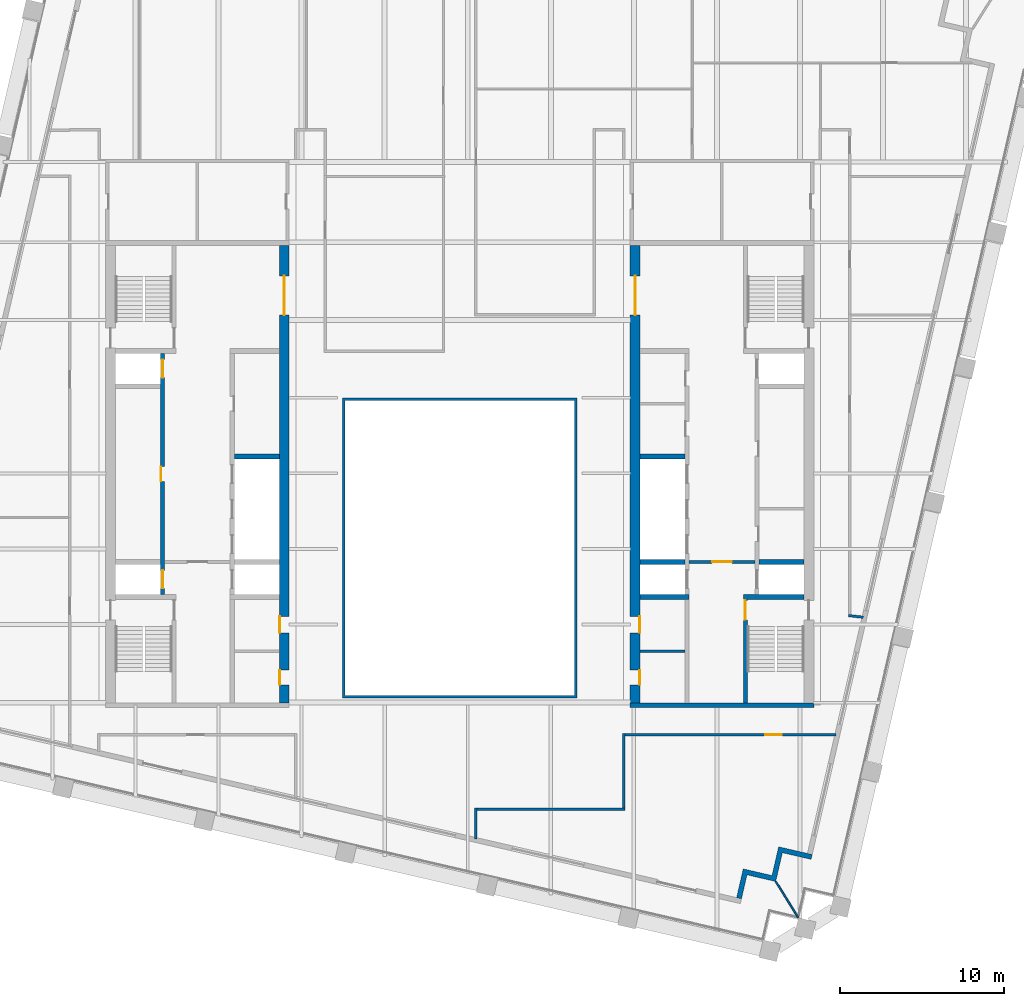
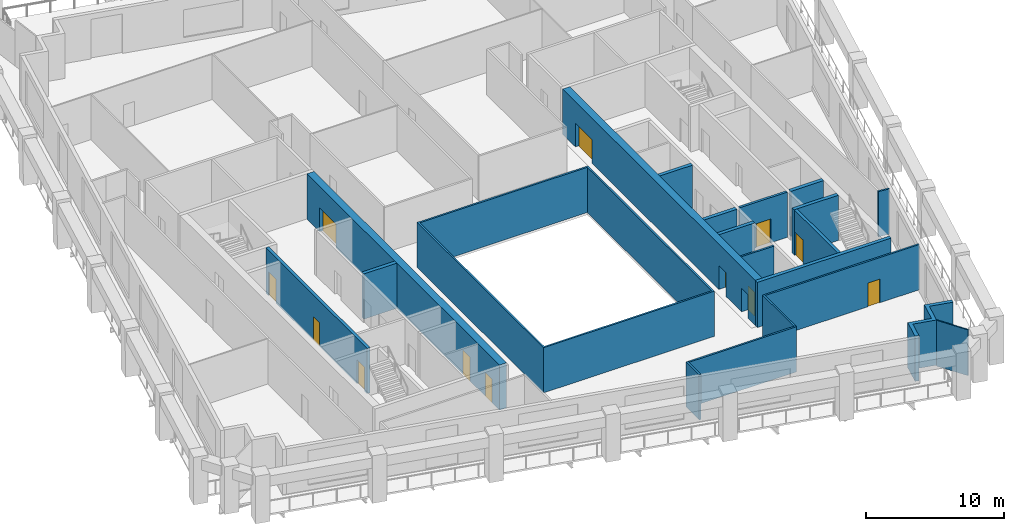
# One storey, part 4 of 9: 21 walls, 12 doors, 12 openings.
"""IFC4 building model written with IfcOpenShell, lengths in metres."""

from ifc_helpers import new_model, si_unit, direction, frame, frame_2d, origin, place, context, subcontext, project, spatial, polyline, rectangle, outline, extrude, material, layer, layer_set, type_object, element, fill, save


model = new_model("IFC4")

# Units and contexts
model_context = context("Model", 3, precision=1e-05, world=origin(), true_north=direction((0.0, 1.0)))
body_context = subcontext(model_context, "Body", "Model", "MODEL_VIEW")
ifc_project = project(units=[si_unit("LENGTHUNIT", "METRE"), si_unit("AREAUNIT", "SQUARE_METRE"), si_unit("VOLUMEUNIT", "CUBIC_METRE"), si_unit("PLANEANGLEUNIT", "RADIAN"), si_unit("MASSUNIT", "GRAM", prefix="KILO")], contexts=[model_context])

# Site, building, storey
site_placement = place(None, origin())
site = spatial("IfcSite", under=ifc_project, at=site_placement, CompositionType="ELEMENT")
building_placement = place(site_placement, origin())
building = spatial("IfcBuilding", under=site, at=building_placement, Name="Ogive Exchange Tower", CompositionType="ELEMENT")
storey_placement = place(building_placement, frame((0.0, 0.0, 285.0)))
storey = spatial("IfcBuildingStorey", under=building, at=storey_placement, Name="L62", CompositionType="ELEMENT", Elevation=285.0)

# Walls
ifc_material_1 = material(Name="Gypsum board partition")
ifc_layer_1 = layer(ifc_material_1, 0.14990234375)
ifc_layer_set_1 = layer_set([ifc_layer_1], Name="Core room partition 150 gypsum")
wall_type_1 = type_object("IfcWallType", Name="Core room partition 150 gypsum", PredefinedType="PARTITIONING", material=ifc_layer_set_1)
wall_1_placement = place(storey_placement, frame((11.0, 0.699951171875, 0.0), z_axis=(0.0, 0.0, 1.0), x_axis=(1.0, 0.0, 0.0)))
element("IfcWall", 1, at=wall_1_placement, inside=storey, type_object=wall_type_1, Name="E south room partition", PredefinedType="PARTITIONING", context=body_context, shape_type="SweptSolid", body=[
    extrude(rectangle(XDim=2.75, YDim=0.14990234375, at=frame_2d((1.375, 0.0))), origin(), (0.0, 0.0, 1.0), 4.0),
])
ifc_material_2 = material(Name="Fire partition EI 60 150")
ifc_layer_2 = layer(ifc_material_2, 0.14990234375)
ifc_layer_set_2 = layer_set([ifc_layer_2], Name="Fire partition EI 60 150")
wall_type_2 = type_object("IfcWallType", Name="Fire partition EI 60 150", PredefinedType="PARTITIONING", material=ifc_layer_set_2)
wall_2_placement = place(storey_placement, frame((0.989990234375, -8.864990234375, 0.0), z_axis=(0.0, 0.0, 1.0), x_axis=(0.0, -1.0, 0.0)))
element("IfcWall", 2, at=wall_2_placement, inside=storey, type_object=wall_type_2, Name="L62-PWL-027", PredefinedType="PARTITIONING", context=body_context, shape_type="SweptSolid", body=[
    extrude(rectangle(XDim=1.887939453125, YDim=0.14990234375, at=frame_2d((0.94384765625, 0.0))), origin(), (0.0, 0.0, 1.0), 4.0),
])
wall_3_placement = place(storey_placement, frame((10.074951171875, -8.93994140625, 0.0), z_axis=(0.0, 0.0, 1.0), x_axis=(-1.0, 0.0, 0.0)))
element("IfcWall", 3, at=wall_3_placement, inside=storey, type_object=wall_type_2, Name="L62-PWL-033", PredefinedType="PARTITIONING", context=body_context, shape_type="SweptSolid", body=[
    extrude(rectangle(XDim=9.010009765625, YDim=0.14990234375, at=frame_2d((4.5048828125, 0.0))), origin(), (0.0, 0.0, 1.0), 4.0),
])
wall_4_placement = place(storey_placement, frame((10.0, -4.324951171875, 0.0), z_axis=(0.0, 0.0, 1.0), x_axis=(0.0, -1.0, 0.0)))
element("IfcWall", 4, at=wall_4_placement, inside=storey, type_object=wall_type_2, Name="L62-PWL-034", PredefinedType="PARTITIONING", context=body_context, shape_type="SweptSolid", body=[
    extrude(rectangle(XDim=4.5400390625, YDim=0.14990234375, at=frame_2d((2.27001953125, 0.0))), origin(), (0.0, 0.0, 1.0), 4.0),
])

# Wall, opening, door
wall_5_placement = place(storey_placement, frame((22.968017578125, -4.39990234375, 0.0), z_axis=(0.0, 0.0, 1.0), x_axis=(-1.0, 0.0, 0.0)))
wall_5 = element("IfcWall", 5, at=wall_5_placement, inside=storey, type_object=wall_type_2, Name="L62-PWL-045", PredefinedType="PARTITIONING", context=body_context, shape_type="SweptSolid", body=[
    extrude(rectangle(XDim=12.89306640625, YDim=0.14990234375, at=frame_2d((6.446533203125, 0.0))), origin(), (0.0, 0.0, 1.0), 4.0),
])
opening_1_placement = place(wall_5_placement, frame((3.318115234375, 0.0, 0.0)))
opening_1 = element("IfcOpeningElement", 6, at=opening_1_placement, cuts=wall_5, Name="Opening L62-I01", PredefinedType="OPENING", context=body_context, shape_type="SweptSolid", body=[
    extrude(rectangle(XDim=1.0, YDim=2.10009765625, at=frame_2d((0.5, 1.050048828125))), frame((0.0, 0.0849609375, 0.0), z_axis=(0.0, -1.0, 0.0), x_axis=(1.0, 0.0, 0.0)), (0.0, 0.0, 1.0), 0.169921875),
])
ifc_material_3 = material(Name="Fire door FD 30S 1000 x 2100")
door_type_1 = type_object("IfcDoorType", Name="Fire door FD 30S 1000 x 2100", OperationType="NOTDEFINED", PredefinedType="DOOR", material=ifc_material_3)
door_1_placement = place(opening_1_placement, origin())
door_1 = element("IfcDoor", 7, at=door_1_placement, inside=storey, type_object=door_type_1, Name="L62-IDR-001", ObjectType="DT3", OperationType="SINGLE_SWING_RIGHT", OverallHeight=2.10009765625, OverallWidth=1.0, PredefinedType="DOOR", context=body_context, shape_type="SweptSolid", body=[
    extrude(rectangle(XDim=1.0, YDim=2.10009765625, at=frame_2d((0.5, 1.050048828125))), frame((0.0, 0.02490234375, 0.0), z_axis=(0.0, -1.0, 0.0), x_axis=(1.0, 0.0, 0.0)), (0.0, 0.0, 1.0), 0.050048828125),
])
fill(opening_1, door_1)

# Walls
wall_6_placement = place(storey_placement, frame((23.72509765625, 2.868896484375, 0.0), z_axis=(0.0, 0.0, 1.0), x_axis=(0.993330469257, -0.115302119865, 0.0)))
element("IfcWall", 8, at=wall_6_placement, inside=storey, type_object=wall_type_2, Name="L62-PWL-046", PredefinedType="PARTITIONING", context=body_context, shape_type="SweptSolid", body=[
    extrude(rectangle(XDim=0.902099609375, YDim=0.14990234375, at=frame_2d((0.451171875, 0.0))), origin(), (0.0, 0.0, 1.0), 4.0),
])
ifc_material_4 = material(Name="Fire-resisting glass in steel frame", Category="steel")
ifc_layer_3 = layer(ifc_material_4, 0.14990234375)
ifc_layer_set_3 = layer_set([ifc_layer_3], Name="Fire-rated glazed wall 150")
wall_type_3 = type_object("IfcWallType", Name="Fire-rated glazed wall 150", PredefinedType="STANDARD", material=ifc_layer_set_3)
wall_7_placement = place(storey_placement, origin())
element("IfcWall", 9, at=wall_7_placement, inside=storey, type_object=wall_type_3, Name="Nave enclosure wall", PredefinedType="STANDARD", context=body_context, shape_type="SweptSolid", body=[
    extrude(outline(polyline([(-7.14990234375, -2.14990234375), (7.14990234375, -2.14990234375), (7.14990234375, 16.14990234375), (-7.14990234375, 16.14990234375), (-7.14990234375, -2.14990234375)]), holes=[polyline([(-7.0, -2.0), (-7.0, 16.0), (7.0, 16.0), (7.0, -2.0), (-7.0, -2.0)])]), origin(), (0.0, 0.0, 1.0), 4.0),
])
ifc_material_5 = material(Name="Precast concrete C40/50", Category="concrete")
ifc_layer_4 = layer(ifc_material_5, 0.300048828125)
ifc_layer_set_4 = layer_set([ifc_layer_4], Name="Limestone-faced wall 300")
wall_type_4 = type_object("IfcWallType", Name="Limestone-faced wall 300", PredefinedType="STANDARD", material=ifc_layer_set_4)
wall_8_placement = place(storey_placement, origin())
element("IfcWall", 10, at=wall_8_placement, inside=storey, type_object=wall_type_4, Name="External corner wall C1", PredefinedType="STANDARD", context=body_context, shape_type="SweptSolid", body=[
    extrude(outline(polyline([(19.053955078125, -12.993408203125), (19.458740234375, -11.239501953125), (21.5048828125, -11.7119140625), (21.4375, -12.004150390625), (19.68359375, -11.599365234375), (19.27880859375, -13.353271484375), (17.52490234375, -12.9482421875), (17.1875, -14.409912109375), (16.89501953125, -14.34228515625), (17.300048828125, -12.58837890625), (19.053955078125, -12.993408203125)])), origin(), (0.0, 0.0, 1.0), 4.0),
])
ifc_material_6 = material(Name="Laminated safety glass in steel frame", Category="steel")
ifc_layer_5 = layer(ifc_material_6, 0.10009765625)
ifc_layer_set_5 = layer_set([ifc_layer_5], Name="Loggia end screen 100")
wall_type_5 = type_object("IfcWallType", Name="Loggia end screen 100", PredefinedType="STANDARD", material=ifc_layer_set_5)
wall_9_placement = place(storey_placement, frame((19.27880859375, -13.353271484375, -0.050048828125), z_axis=(0.0, 0.0, 1.0), x_axis=(0.529914407191, -0.848051131154, 0.0)))
element("IfcWall", 11, at=wall_9_placement, inside=storey, type_object=wall_type_5, Name="Loggia end screen C1", PredefinedType="STANDARD", context=body_context, shape_type="SweptSolid", body=[
    extrude(rectangle(XDim=2.59619140625, YDim=0.10009765625, at=frame_2d((1.298095703125, 0.0))), origin(), (0.0, 0.0, 1.0), 4.050048828125),
])

# Wall, opening, door
ifc_material_7 = material(Name="Concrete C70/85", Category="concrete")
ifc_layer_6 = layer(ifc_material_7, 0.199951171875)
ifc_layer_set_6 = layer_set([ifc_layer_6], Name="RC core wall 200 C70/85")
wall_type_6 = type_object("IfcWallType", Name="RC core wall 200 C70/85", PredefinedType="SHEAR", material=ifc_layer_set_6)
wall_10_placement = place(storey_placement, frame((14.0, 6.142822265625, 0.0), z_axis=(0.0, 0.0, 1.0), x_axis=(1.0, 0.0, 0.0)))
wall_10 = element("IfcWall", 12, at=wall_10_placement, inside=storey, type_object=wall_type_6, Name="E firefighting lobby wall", PredefinedType="SHEAR", context=body_context, shape_type="SweptSolid", body=[
    extrude(rectangle(XDim=4.0, YDim=0.199951171875, at=frame_2d((2.0, 0.0))), origin(), (0.0, 0.0, 1.0), 4.0),
])
opening_2_placement = place(wall_10_placement, frame((1.39990234375, 0.0, 0.0)))
opening_2 = element("IfcOpeningElement", 13, at=opening_2_placement, cuts=wall_10, Name="Opening L62-C29", PredefinedType="OPENING", context=body_context, shape_type="SweptSolid", body=[
    extrude(rectangle(XDim=1.199951171875, YDim=2.10009765625, at=frame_2d((0.60009765625, 1.050048828125))), frame((0.0, 0.10986328125, 0.0), z_axis=(0.0, -1.0, 0.0), x_axis=(1.0, 0.0, 0.0)), (0.0, 0.0, 1.0), 0.219970703125),
])
ifc_material_8 = material(Name="Steel fire door", Category="steel")
door_type_2 = type_object("IfcDoorType", Name="Firefighting lobby door FD60 1200 x 2100", OperationType="NOTDEFINED", PredefinedType="DOOR", material=ifc_material_8)
door_2_placement = place(opening_2_placement, frame((1.199951171875, 0.0, 0.0), z_axis=(0.0, 0.0, 1.0), x_axis=(-1.0, 0.0, 0.0)))
door_2 = element("IfcDoor", 14, at=door_2_placement, inside=storey, type_object=door_type_2, Name="Firefighting lobby door", ObjectType="CD3", OperationType="SINGLE_SWING_LEFT", OverallHeight=2.10009765625, OverallWidth=1.199951171875, PredefinedType="DOOR", context=body_context, shape_type="SweptSolid", body=[
    extrude(rectangle(XDim=1.199951171875, YDim=2.10009765625, at=frame_2d((0.60009765625, 1.050048828125))), frame((0.0, 0.02490234375, 0.0), z_axis=(0.0, -1.0, 0.0), x_axis=(1.0, 0.0, 0.0)), (0.0, 0.0, 1.0), 0.050048828125),
])
fill(opening_2, door_2)

# Wall, openings, doors
ifc_layer_7 = layer(ifc_material_7, 0.25)
ifc_layer_set_7 = layer_set([ifc_layer_7], Name="RC core wall 250 C70/85")
wall_type_7 = type_object("IfcWallType", Name="RC core wall 250 C70/85", PredefinedType="SHEAR", material=ifc_layer_set_7)
wall_11_placement = place(storey_placement, frame((-18.125, 4.14990234375, 0.0), z_axis=(0.0, 0.0, 1.0), x_axis=(0.0, 1.0, 0.0)))
wall_11 = element("IfcWall", 15, at=wall_11_placement, inside=storey, type_object=wall_type_7, Name="W row A front wall", PredefinedType="SHEAR", context=body_context, shape_type="SweptSolid", body=[
    extrude(rectangle(XDim=14.7001953125, YDim=0.25, at=frame_2d((7.35009765625, 0.0))), origin(), (0.0, 0.0, 1.0), 4.0),
])
opening_3_placement = place(wall_11_placement, frame((6.89990234375, 0.0, 0.0)))
opening_3 = element("IfcOpeningElement", 16, at=opening_3_placement, cuts=wall_11, Name="Opening L62-C01", PredefinedType="OPENING", context=body_context, shape_type="SweptSolid", body=[
    extrude(rectangle(XDim=0.89990234375, YDim=2.10009765625, at=frame_2d((0.449951171875, 1.050048828125))), frame((0.0, 0.135009765625, 0.0), z_axis=(0.0, -1.0, 0.0), x_axis=(1.0, 0.0, 0.0)), (0.0, 0.0, 1.0), 0.27001953125),
])
opening_4_placement = place(wall_11_placement, frame((0.371337890625, 0.0, 0.0)))
opening_4 = element("IfcOpeningElement", 17, at=opening_4_placement, cuts=wall_11, Name="Opening L62-C02", PredefinedType="OPENING", context=body_context, shape_type="SweptSolid", body=[
    extrude(rectangle(XDim=1.10009765625, YDim=2.10009765625, at=frame_2d((0.550048828125, 1.050048828125))), frame((0.0, 0.135009765625, 0.0), z_axis=(0.0, -1.0, 0.0), x_axis=(1.0, 0.0, 0.0)), (0.0, 0.0, 1.0), 0.27001953125),
])
opening_5_placement = place(wall_11_placement, frame((13.228515625, 0.0, 0.0)))
opening_5 = element("IfcOpeningElement", 18, at=opening_5_placement, cuts=wall_11, Name="Opening L62-C03", PredefinedType="OPENING", context=body_context, shape_type="SweptSolid", body=[
    extrude(rectangle(XDim=1.10009765625, YDim=2.10009765625, at=frame_2d((0.550048828125, 1.050048828125))), frame((0.0, 0.135009765625, 0.0), z_axis=(0.0, -1.0, 0.0), x_axis=(1.0, 0.0, 0.0)), (0.0, 0.0, 1.0), 0.27001953125),
])
ifc_material_9 = material(Name="Timber fire door", Category="wood")
door_type_3 = type_object("IfcDoorType", Name="Core room door FD30S 900 x 2100", OperationType="NOTDEFINED", PredefinedType="DOOR", material=ifc_material_9)
door_3_placement = place(opening_3_placement, origin())
door_3 = element("IfcDoor", 19, at=door_3_placement, inside=storey, type_object=door_type_3, Name="Core room door", ObjectType="CD6", OperationType="SINGLE_SWING_RIGHT", OverallHeight=2.10009765625, OverallWidth=0.89990234375, PredefinedType="DOOR", context=body_context, shape_type="SweptSolid", body=[
    extrude(rectangle(XDim=0.89990234375, YDim=2.10009765625, at=frame_2d((0.449951171875, 1.050048828125))), frame((0.0, 0.125, 0.0), z_axis=(0.0, -1.0, 0.0), x_axis=(1.0, 0.0, 0.0)), (0.0, 0.0, 1.0), 0.050048828125),
])
fill(opening_3, door_3)
ifc_material_10 = material(Name="Stainless steel", Category="steel")
door_type_4 = type_object("IfcDoorType", Name="Lift landing door FD90 1100 x 2100", OperationType="SLIDING_TO_LEFT", PredefinedType="DOOR", material=ifc_material_10)
door_4_placement = place(opening_4_placement, origin())
door_4 = element("IfcDoor", 20, at=door_4_placement, inside=storey, type_object=door_type_4, Name="Lift landing door FF1", ObjectType="LD", OperationType="SLIDING_TO_LEFT", OverallHeight=2.10009765625, OverallWidth=1.10009765625, PredefinedType="DOOR", context=body_context, shape_type="SweptSolid", body=[
    extrude(rectangle(XDim=1.10009765625, YDim=2.10009765625, at=frame_2d((0.550048828125, 1.050048828125))), frame((0.0, 0.02490234375, 0.0), z_axis=(0.0, -1.0, 0.0), x_axis=(1.0, 0.0, 0.0)), (0.0, 0.0, 1.0), 0.050048828125),
])
fill(opening_4, door_4)
door_5_placement = place(opening_5_placement, origin())
door_5 = element("IfcDoor", 21, at=door_5_placement, inside=storey, type_object=door_type_4, Name="Lift landing door W-SH2", ObjectType="LD", OperationType="SLIDING_TO_LEFT", OverallHeight=2.10009765625, OverallWidth=1.10009765625, PredefinedType="DOOR", context=body_context, shape_type="SweptSolid", body=[
    extrude(rectangle(XDim=1.10009765625, YDim=2.10009765625, at=frame_2d((0.550048828125, 1.050048828125))), frame((0.0, 0.02490234375, 0.0), z_axis=(0.0, -1.0, 0.0), x_axis=(1.0, 0.0, 0.0)), (0.0, 0.0, 1.0), 0.050048828125),
])
fill(opening_5, door_5)

# Wall, opening, door
wall_12_placement = place(storey_placement, frame((17.425048828125, -2.449951171875, 0.0), z_axis=(0.0, 0.0, 1.0), x_axis=(0.0, 1.0, 0.0)))
wall_12 = element("IfcWall", 22, at=wall_12_placement, inside=storey, type_object=wall_type_7, Name="E stair S front wall", PredefinedType="SHEAR", context=body_context, shape_type="SweptSolid", body=[
    extrude(rectangle(XDim=6.300048828125, YDim=0.25, at=frame_2d((3.14990234375, 0.0))), origin(), (0.0, 0.0, 1.0), 4.0),
])
opening_6_placement = place(wall_12_placement, frame((5.050048828125, 0.0, 0.0)))
opening_6 = element("IfcOpeningElement", 23, at=opening_6_placement, cuts=wall_12, Name="Opening L62-C31", PredefinedType="OPENING", context=body_context, shape_type="SweptSolid", body=[
    extrude(rectangle(XDim=1.199951171875, YDim=2.10009765625, at=frame_2d((0.60009765625, 1.050048828125))), frame((0.0, 0.135009765625, 0.0), z_axis=(0.0, -1.0, 0.0), x_axis=(1.0, 0.0, 0.0)), (0.0, 0.0, 1.0), 0.27001953125),
])
door_type_5 = type_object("IfcDoorType", Name="Stair door FD90 1200 x 2100", OperationType="NOTDEFINED", PredefinedType="DOOR", material=ifc_material_8)
door_6_placement = place(opening_6_placement, frame((1.199951171875, 0.0, 0.0), z_axis=(0.0, 0.0, 1.0), x_axis=(-1.0, 0.0, 0.0)))
door_6 = element("IfcDoor", 24, at=door_6_placement, inside=storey, type_object=door_type_5, Name="Stair door", ObjectType="CD5", OperationType="SINGLE_SWING_RIGHT", OverallHeight=2.10009765625, OverallWidth=1.199951171875, PredefinedType="DOOR", context=body_context, shape_type="SweptSolid", body=[
    extrude(rectangle(XDim=1.199951171875, YDim=2.10009765625, at=frame_2d((0.60009765625, 1.050048828125))), frame((0.0, 0.02490234375, 0.0), z_axis=(0.0, -1.0, 0.0), x_axis=(1.0, 0.0, 0.0)), (0.0, 0.0, 1.0), 0.050048828125),
])
fill(opening_6, door_6)

# Walls
ifc_layer_8 = layer(ifc_material_7, 0.300048828125)
ifc_layer_set_8 = layer_set([ifc_layer_8], Name="RC core wall 300 C70/85")
wall_type_8 = type_object("IfcWallType", Name="RC core wall 300 C70/85", PredefinedType="SHEAR", material=ifc_layer_set_8)
wall_13_placement = place(storey_placement, frame((-13.75, 12.5712890625, 0.0), z_axis=(0.0, 0.0, 1.0), x_axis=(1.0, 0.0, 0.0)))
element("IfcWall", 25, at=wall_13_placement, inside=storey, type_object=wall_type_8, Name="W row B divider 4", PredefinedType="SHEAR", context=body_context, shape_type="SweptSolid", body=[
    extrude(rectangle(XDim=2.75, YDim=0.300048828125, at=frame_2d((1.375, 0.0))), origin(), (0.0, 0.0, 1.0), 4.0),
])
wall_14_placement = place(storey_placement, frame((10.39990234375, -2.60009765625, 0.0), z_axis=(0.0, 0.0, 1.0), x_axis=(1.0, 0.0, 0.0)))
element("IfcWall", 26, at=wall_14_placement, inside=storey, type_object=wall_type_8, Name="E south end wall", PredefinedType="SHEAR", context=body_context, shape_type="SweptSolid", body=[
    extrude(rectangle(XDim=11.2001953125, YDim=0.300048828125, at=frame_2d((5.60009765625, 0.0))), origin(), (0.0, 0.0, 1.0), 4.0),
])
wall_15_placement = place(storey_placement, frame((17.300048828125, 4.0, 0.0), z_axis=(0.0, 0.0, 1.0), x_axis=(1.0, 0.0, 0.0)))
element("IfcWall", 27, at=wall_15_placement, inside=storey, type_object=wall_type_8, Name="E stair S north wall", PredefinedType="SHEAR", context=body_context, shape_type="SweptSolid", body=[
    extrude(rectangle(XDim=3.699951171875, YDim=0.300048828125, at=frame_2d((1.85009765625, 0.0))), origin(), (0.0, 0.0, 1.0), 4.0),
])
wall_16_placement = place(storey_placement, frame((18.25, 6.142822265625, 0.0), z_axis=(0.0, 0.0, 1.0), x_axis=(1.0, 0.0, 0.0)))
element("IfcWall", 28, at=wall_16_placement, inside=storey, type_object=wall_type_8, Name="E row A divider 1", PredefinedType="SHEAR", context=body_context, shape_type="SweptSolid", body=[
    extrude(rectangle(XDim=2.75, YDim=0.300048828125, at=frame_2d((1.375, 0.0))), origin(), (0.0, 0.0, 1.0), 4.0),
])
wall_17_placement = place(storey_placement, frame((11.0, 4.0, 0.0), z_axis=(0.0, 0.0, 1.0), x_axis=(1.0, 0.0, 0.0)))
element("IfcWall", 29, at=wall_17_placement, inside=storey, type_object=wall_type_8, Name="E row B divider 0", PredefinedType="SHEAR", context=body_context, shape_type="SweptSolid", body=[
    extrude(rectangle(XDim=3.0, YDim=0.300048828125, at=frame_2d((1.5, 0.0))), origin(), (0.0, 0.0, 1.0), 4.0),
])
for number, where, z_axis, x_axis, name in (
    (30, (11.0, 6.142822265625, 0.0), (0.0, 0.0, 1.0), (1.0, 0.0, 0.0), "E row B divider 1"),
    (31, (11.0, 12.5712890625, 0.0), (0.0, 0.0, 1.0), (1.0, 0.0, 0.0), "E row B divider 4"),
):
    element("IfcWall", number, at=place(storey_placement, frame(where, z_axis=z_axis, x_axis=x_axis)), inside=storey, type_object=wall_type_8, Name=name, PredefinedType="SHEAR", context=body_context, shape_type="SweptSolid", body=[
        extrude(rectangle(XDim=2.75, YDim=0.300048828125, at=frame_2d((1.375, 0.0))), origin(), (0.0, 0.0, 1.0), 4.0),
    ])

# Wall, openings, doors
ifc_layer_9 = layer(ifc_material_7, 0.60009765625)
ifc_layer_set_9 = layer_set([ifc_layer_9], Name="RC core wall 600 C70/85")
wall_type_9 = type_object("IfcWallType", Name="RC core wall 600 C70/85", PredefinedType="SHEAR", material=ifc_layer_set_9)
wall_18_placement = place(storey_placement, frame((-10.699951171875, -2.449951171875, 0.0), z_axis=(0.0, 0.0, 1.0), x_axis=(0.0, 1.0, 0.0)))
wall_18 = element("IfcWall", 32, at=wall_18_placement, inside=storey, type_object=wall_type_9, Name="W inner wall", PredefinedType="SHEAR", context=body_context, shape_type="SweptSolid", body=[
    extrude(rectangle(XDim=27.89990234375, YDim=0.60009765625, at=frame_2d((13.949951171875, 0.0))), origin(), (0.0, 0.0, 1.0), 4.0),
])
opening_7_placement = place(wall_18_placement, frame((23.64990234375, 0.0, 0.0)))
opening_7 = element("IfcOpeningElement", 33, at=opening_7_placement, cuts=wall_18, Name="Opening L62-C10", PredefinedType="OPENING", context=body_context, shape_type="SweptSolid", body=[
    extrude(rectangle(XDim=2.39990234375, YDim=2.10009765625, at=frame_2d((1.199951171875, 1.050048828125))), frame((0.0, 0.31005859375, 0.0), z_axis=(0.0, -1.0, 0.0), x_axis=(1.0, 0.0, 0.0)), (0.0, 0.0, 1.0), 0.6201171875),
])
opening_8_placement = place(wall_18_placement, frame((1.08740234375, 0.0, 0.0)))
opening_8 = element("IfcOpeningElement", 34, at=opening_8_placement, cuts=wall_18, Name="Opening L62-C15", PredefinedType="OPENING", context=body_context, shape_type="SweptSolid", body=[
    extrude(rectangle(XDim=0.89990234375, YDim=2.10009765625, at=frame_2d((0.449951171875, 1.050048828125))), frame((0.0, 0.31005859375, 0.0), z_axis=(0.0, -1.0, 0.0), x_axis=(1.0, 0.0, 0.0)), (0.0, 0.0, 1.0), 0.6201171875),
])
opening_9_placement = place(wall_18_placement, frame((4.262451171875, 0.0, 0.0)))
opening_9 = element("IfcOpeningElement", 35, at=opening_9_placement, cuts=wall_18, Name="Opening L62-C16", PredefinedType="OPENING", context=body_context, shape_type="SweptSolid", body=[
    extrude(rectangle(XDim=1.0, YDim=2.10009765625, at=frame_2d((0.5, 1.050048828125))), frame((0.0, 0.31005859375, 0.0), z_axis=(0.0, -1.0, 0.0), x_axis=(1.0, 0.0, 0.0)), (0.0, 0.0, 1.0), 0.6201171875),
])
door_type_6 = type_object("IfcDoorType", Name="Accessible WC door FD30S 1000 x 2100", OperationType="NOTDEFINED", PredefinedType="DOOR", material=ifc_material_9)
door_7_placement = place(opening_9_placement, frame((1.0, 0.5498046875, 0.0), z_axis=(0.0, 0.0, 1.0), x_axis=(-1.0, 0.0, 0.0)))
door_7 = element("IfcDoor", 36, at=door_7_placement, inside=storey, type_object=door_type_6, Name="Accessible WC door", ObjectType="CD7", OperationType="SINGLE_SWING_LEFT", OverallHeight=2.10009765625, OverallWidth=1.0, PredefinedType="DOOR", context=body_context, shape_type="SweptSolid", body=[
    extrude(rectangle(XDim=1.0, YDim=2.10009765625, at=frame_2d((0.5, 1.050048828125))), frame((0.0, 0.2998046875, 0.0), z_axis=(0.0, -1.0, 0.0), x_axis=(1.0, 0.0, 0.0)), (0.0, 0.0, 1.0), 0.050048828125),
])
fill(opening_9, door_7)
door_8_placement = place(opening_8_placement, frame((0.89990234375, 0.5498046875, 0.0), z_axis=(0.0, 0.0, 1.0), x_axis=(-1.0, 0.0, 0.0)))
door_8 = element("IfcDoor", 37, at=door_8_placement, inside=storey, type_object=door_type_3, Name="Core room door", ObjectType="CD6", OperationType="SINGLE_SWING_LEFT", OverallHeight=2.10009765625, OverallWidth=0.89990234375, PredefinedType="DOOR", context=body_context, shape_type="SweptSolid", body=[
    extrude(rectangle(XDim=0.89990234375, YDim=2.10009765625, at=frame_2d((0.449951171875, 1.050048828125))), frame((0.0, 0.2998046875, 0.0), z_axis=(0.0, -1.0, 0.0), x_axis=(1.0, 0.0, 0.0)), (0.0, 0.0, 1.0), 0.050048828125),
])
fill(opening_8, door_8)
ifc_material_11 = material(Name="Glazed steel fire door", Category="steel")
door_type_7 = type_object("IfcDoorType", Name="Lift lobby double door FD60 2400 x 2100", OperationType="DOUBLE_DOOR_SINGLE_SWING", PredefinedType="DOOR", material=ifc_material_11)
door_9_placement = place(opening_7_placement, frame((2.39990234375, 0.0, 0.0), z_axis=(0.0, 0.0, 1.0), x_axis=(-1.0, 0.0, 0.0)))
door_9 = element("IfcDoor", 38, at=door_9_placement, inside=storey, type_object=door_type_7, Name="Lift lobby double door", ObjectType="CD4", OperationType="DOUBLE_DOOR_SINGLE_SWING", OverallHeight=2.10009765625, OverallWidth=2.39990234375, PredefinedType="DOOR", context=body_context, shape_type="SweptSolid", body=[
    extrude(rectangle(XDim=2.39990234375, YDim=2.10009765625, at=frame_2d((1.199951171875, 1.050048828125))), frame((0.0, 0.02490234375, 0.0), z_axis=(0.0, -1.0, 0.0), x_axis=(1.0, 0.0, 0.0)), (0.0, 0.0, 1.0), 0.050048828125),
])
fill(opening_7, door_9)

wall_19_placement = place(storey_placement, frame((10.699951171875, -2.449951171875, 0.0), z_axis=(0.0, 0.0, 1.0), x_axis=(0.0, 1.0, 0.0)))
wall_19 = element("IfcWall", 39, at=wall_19_placement, inside=storey, type_object=wall_type_9, Name="E inner wall", PredefinedType="SHEAR", context=body_context, shape_type="SweptSolid", body=[
    extrude(rectangle(XDim=27.89990234375, YDim=0.60009765625, at=frame_2d((13.949951171875, 0.0))), origin(), (0.0, 0.0, 1.0), 4.0),
])
opening_10_placement = place(wall_19_placement, frame((23.64990234375, 0.0, 0.0)))
opening_10 = element("IfcOpeningElement", 40, at=opening_10_placement, cuts=wall_19, Name="Opening L62-C30", PredefinedType="OPENING", context=body_context, shape_type="SweptSolid", body=[
    extrude(rectangle(XDim=2.39990234375, YDim=2.10009765625, at=frame_2d((1.199951171875, 1.050048828125))), frame((0.0, 0.31005859375, 0.0), z_axis=(0.0, -1.0, 0.0), x_axis=(1.0, 0.0, 0.0)), (0.0, 0.0, 1.0), 0.6201171875),
])
opening_11_placement = place(wall_19_placement, frame((1.08740234375, 0.0, 0.0)))
opening_11 = element("IfcOpeningElement", 41, at=opening_11_placement, cuts=wall_19, Name="Opening L62-C35", PredefinedType="OPENING", context=body_context, shape_type="SweptSolid", body=[
    extrude(rectangle(XDim=0.89990234375, YDim=2.10009765625, at=frame_2d((0.449951171875, 1.050048828125))), frame((0.0, 0.31005859375, 0.0), z_axis=(0.0, -1.0, 0.0), x_axis=(1.0, 0.0, 0.0)), (0.0, 0.0, 1.0), 0.6201171875),
])
opening_12_placement = place(wall_19_placement, frame((4.262451171875, 0.0, 0.0)))
opening_12 = element("IfcOpeningElement", 42, at=opening_12_placement, cuts=wall_19, Name="Opening L62-C36", PredefinedType="OPENING", context=body_context, shape_type="SweptSolid", body=[
    extrude(rectangle(XDim=1.0, YDim=2.10009765625, at=frame_2d((0.5, 1.050048828125))), frame((0.0, 0.31005859375, 0.0), z_axis=(0.0, -1.0, 0.0), x_axis=(1.0, 0.0, 0.0)), (0.0, 0.0, 1.0), 0.6201171875),
])
door_10_placement = place(opening_12_placement, origin())
door_10 = element("IfcDoor", 43, at=door_10_placement, inside=storey, type_object=door_type_6, Name="Accessible WC door", ObjectType="CD7", OperationType="SINGLE_SWING_RIGHT", OverallHeight=2.10009765625, OverallWidth=1.0, PredefinedType="DOOR", context=body_context, shape_type="SweptSolid", body=[
    extrude(rectangle(XDim=1.0, YDim=2.10009765625, at=frame_2d((0.5, 1.050048828125))), frame((0.0, -0.25, 0.0), z_axis=(0.0, -1.0, 0.0), x_axis=(1.0, 0.0, 0.0)), (0.0, 0.0, 1.0), 0.050048828125),
])
fill(opening_12, door_10)
door_11_placement = place(opening_11_placement, origin())
door_11 = element("IfcDoor", 44, at=door_11_placement, inside=storey, type_object=door_type_3, Name="Core room door", ObjectType="CD6", OperationType="SINGLE_SWING_RIGHT", OverallHeight=2.10009765625, OverallWidth=0.89990234375, PredefinedType="DOOR", context=body_context, shape_type="SweptSolid", body=[
    extrude(rectangle(XDim=0.89990234375, YDim=2.10009765625, at=frame_2d((0.449951171875, 1.050048828125))), frame((0.0, -0.25, 0.0), z_axis=(0.0, -1.0, 0.0), x_axis=(1.0, 0.0, 0.0)), (0.0, 0.0, 1.0), 0.050048828125),
])
fill(opening_11, door_11)
door_12_placement = place(opening_10_placement, origin())
door_12 = element("IfcDoor", 45, at=door_12_placement, inside=storey, type_object=door_type_7, Name="Lift lobby double door", ObjectType="CD4", OperationType="DOUBLE_DOOR_SINGLE_SWING", OverallHeight=2.10009765625, OverallWidth=2.39990234375, PredefinedType="DOOR", context=body_context, shape_type="SweptSolid", body=[
    extrude(rectangle(XDim=2.39990234375, YDim=2.10009765625, at=frame_2d((1.199951171875, 1.050048828125))), frame((0.0, 0.02490234375, 0.0), z_axis=(0.0, -1.0, 0.0), x_axis=(1.0, 0.0, 0.0)), (0.0, 0.0, 1.0), 0.050048828125),
])
fill(opening_10, door_12)

save(model, "model.ifc")
